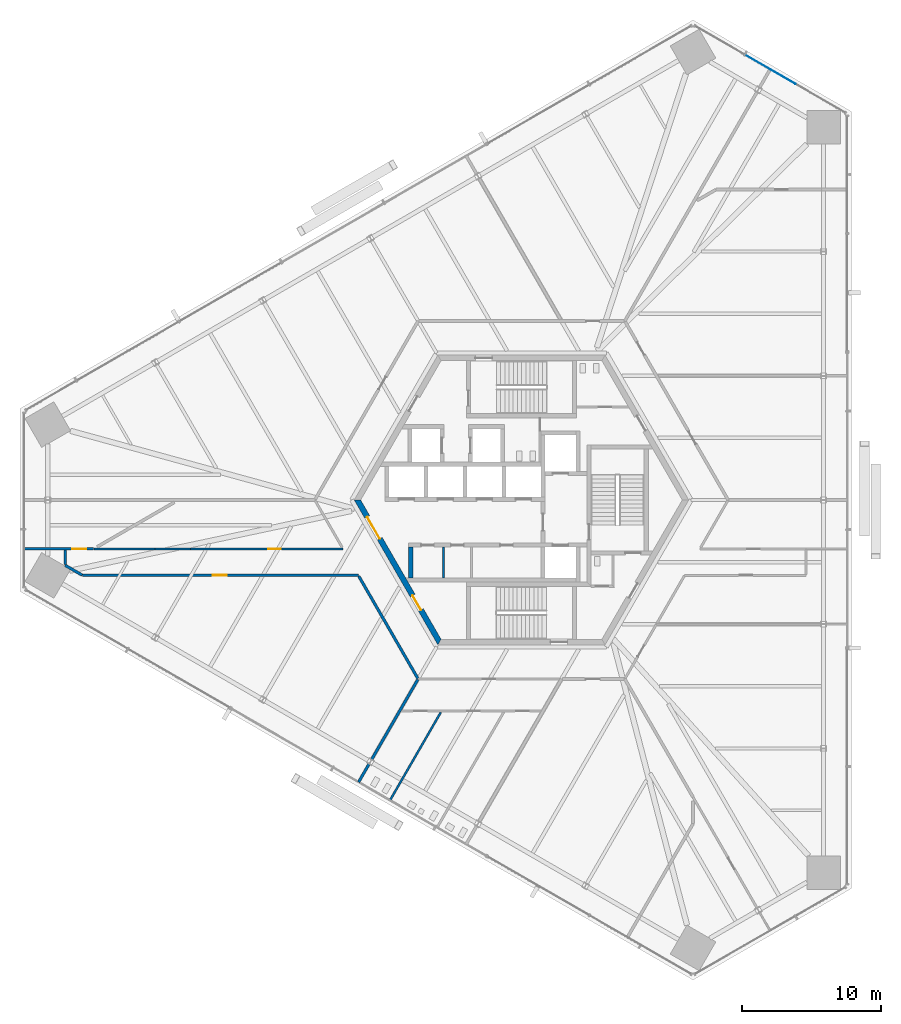
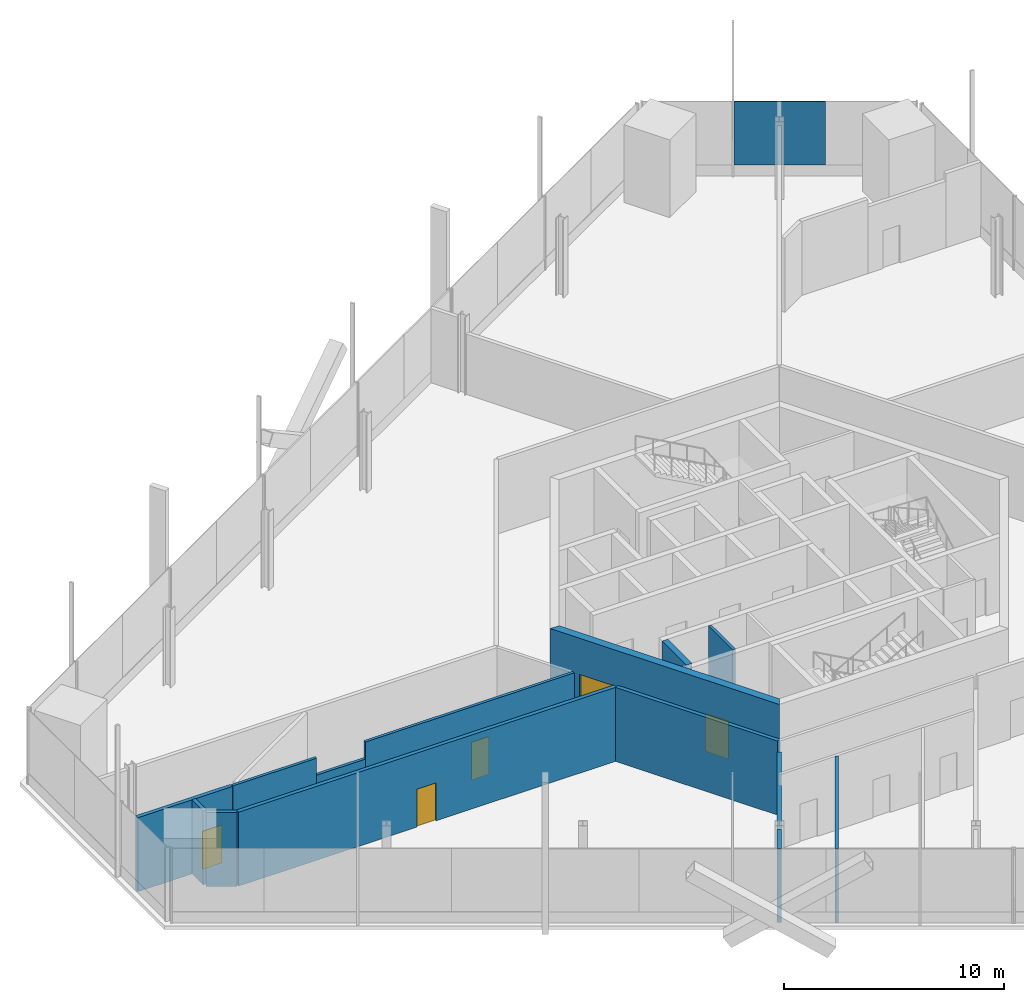
# One storey, part 9 of 18: 14 walls, 5 doors, 1 plate, 5 openings, 1 element without a shape of its own.
"""IFC4 building model written with IfcOpenShell, lengths in metres."""

from ifc_helpers import new_model, si_unit, direction, frame, frame_2d, origin, origin_2d, place, context, subcontext, project, spatial, polyline, rectangle, outline, extrude, source, transform, mapped, material, layer, layer_set, type_object, element, fill, aggregate, save


model = new_model("IFC4")

# Units and contexts
model_context = context("Model", 3, precision=1e-05, world=origin(), true_north=direction((0.0, 1.0)))
body_context = subcontext(model_context, "Body", "Model", "MODEL_VIEW")
ifc_project = project(units=[si_unit("LENGTHUNIT", "METRE"), si_unit("AREAUNIT", "SQUARE_METRE"), si_unit("VOLUMEUNIT", "CUBIC_METRE"), si_unit("PLANEANGLEUNIT", "RADIAN"), si_unit("MASSUNIT", "GRAM", prefix="KILO")], contexts=[model_context])

# Site, building, storey
site_placement = place(None, origin())
site = spatial("IfcSite", under=ifc_project, at=site_placement, CompositionType="ELEMENT")
building_placement = place(site_placement, origin())
building = spatial("IfcBuilding", under=site, at=building_placement, Name="Triune Harvest Tower", CompositionType="ELEMENT")
storey_placement = place(building_placement, frame((0.0, 0.0, 33.199951171875)))
storey = spatial("IfcBuildingStorey", under=building, at=storey_placement, Name="L07", CompositionType="ELEMENT", Elevation=33.199951171875)

# Curtain wall, plate
ifc_material_1 = material(Name="Aluminium bronze anodised", Category="aluminium")
curtain_wall_type = type_object("IfcCurtainWallType", Name="CW-3 Farm floor curtain wall", PredefinedType="NOTDEFINED", material=ifc_material_1)
curtain_wall_placement = place(storey_placement, origin())
curtain_wall = element("IfcCurtainWall", 1, at=curtain_wall_placement, inside=storey, type_object=curtain_wall_type, Name="CW-3 B1-F2 L07 run 1")
ifc_material_2 = material(Name="Glass", Category="glass")
ifc_layer_1 = layer(ifc_material_2, 0.035888671875)
ifc_layer_set_1 = layer_set([ifc_layer_1], Name="Glass")
plate_type = type_object("IfcPlateType", Name="GL-3 panel 36", PredefinedType="CURTAIN_PANEL", material=ifc_layer_set_1)
shared_shape_1 = source(origin(), body_context, "Body", "SweptSolid", [
    extrude(rectangle(XDim=4.157958984375, YDim=0.035888671875, at=origin_2d()), origin(), (0.0, 0.0, 1.0), 3.5),
])
plate_placement = place(storey_placement, frame((17.857666015625, 30.89013671875, 0.60009765625), z_axis=(0.0, 0.0, 1.0), x_axis=(-0.866026145592, 0.499998715149, 0.0)))
plate = element("IfcPlate", 2, at=plate_placement, type_object=plate_type, Name="CW-3 panel B1-F2 1.2", PredefinedType="CURTAIN_PANEL", context=body_context, shape_type="MappedRepresentation", body=[
    mapped(shared_shape_1, transform((0.0, 0.0, 0.0), scale=1.0)),
])
aggregate(curtain_wall, [plate])

# Wall, openings, doors
ifc_material_3 = material(Name="Concrete 70 MPa", Category="concrete")
ifc_layer_2 = layer(ifc_material_3, 0.39990234375)
ifc_layer_set_2 = layer_set([ifc_layer_2], Name="Concrete 70 MPa")
wall_type_1 = type_object("IfcWallType", Name="Core wall 400", PredefinedType="SHEAR", material=ifc_layer_set_2)
shared_shape_2 = source(origin(), body_context, "Body", "SweptSolid", [
    extrude(outline(polyline([(-0.115478515625, -0.199951171875), (11.884521484375, -0.199951171875), (11.653564453125, 0.199951171875), (0.115478515625, 0.199951171875), (-0.115478515625, -0.199951171875)])), origin(), (0.0, 0.0, 1.0), 4.10009765625),
])
wall_1_placement = place(storey_placement, frame((-11.76904296875, 0.0, 0.0), z_axis=(0.0, 0.0, 1.0), x_axis=(0.499996592174, -0.866027371285, 0.0)))
wall_1 = element("IfcWall", 3, at=wall_1_placement, inside=storey, type_object=wall_type_1, Name="Hexagon 3 wall", PredefinedType="SHEAR", context=body_context, shape_type="MappedRepresentation", body=[
    mapped(shared_shape_2, transform((0.0, 0.0, 0.0), scale=1.0)),
])
opening_1_placement = place(wall_1_placement, frame((1.404541015625, 0.0, 0.0)))
opening_1 = element("IfcOpeningElement", 4, at=opening_1_placement, cuts=wall_1, Name="Opening CD-LS", PredefinedType="OPENING", context=body_context, shape_type="SweptSolid", body=[
    extrude(rectangle(XDim=1.800048828125, YDim=2.10009765625, at=frame_2d((0.89990234375, 1.050048828125))), frame((0.0, 0.2099609375, 0.0), z_axis=(0.0, -1.0, 0.0), x_axis=(1.0, 0.0, 0.0)), (0.0, 0.0, 1.0), 0.419921875),
])
opening_2_placement = place(wall_1_placement, frame((7.91455078125, 0.0, 0.0)))
opening_2 = element("IfcOpeningElement", 5, at=opening_2_placement, cuts=wall_1, Name="Opening CD-SWP", PredefinedType="OPENING", context=body_context, shape_type="SweptSolid", body=[
    extrude(rectangle(XDim=1.199951171875, YDim=2.10009765625, at=frame_2d((0.60009765625, 1.050048828125))), frame((0.0, 0.2099609375, 0.0), z_axis=(0.0, -1.0, 0.0), x_axis=(1.0, 0.0, 0.0)), (0.0, 0.0, 1.0), 0.419921875),
])
ifc_material_4 = material(Name="Steel S235", Category="steel")
door_type_1 = type_object("IfcDoorType", Name="Lobby door 1800 FD120", OperationType="DOUBLE_DOOR_DOUBLE_SWING", PredefinedType="DOOR", material=ifc_material_4)
door_1_placement = place(opening_1_placement, frame((1.800048828125, 0.0, 0.0), z_axis=(0.0, 0.0, 1.0), x_axis=(-1.0, 0.0, 0.0)))
door_1 = element("IfcDoor", 6, at=door_1_placement, inside=storey, type_object=door_type_1, Name="Door CD-LS", OperationType="DOUBLE_DOOR_DOUBLE_SWING", OverallHeight=2.10009765625, OverallWidth=1.800048828125, PredefinedType="DOOR", context=body_context, shape_type="SweptSolid", body=[
    extrude(rectangle(XDim=1.800048828125, YDim=2.10009765625, at=frame_2d((0.89990234375, 1.050048828125))), frame((0.0, 0.02490234375, 0.0), z_axis=(0.0, -1.0, 0.0), x_axis=(1.0, 0.0, 0.0)), (0.0, 0.0, 1.0), 0.050048828125),
])
fill(opening_1, door_1)
ifc_material_5 = material(Name="Steel S235", Category="steel")
door_type_2 = type_object("IfcDoorType", Name="Service door 1200 FD120", OperationType="SINGLE_SWING_LEFT", PredefinedType="DOOR", material=ifc_material_5)
door_2_placement = place(opening_2_placement, frame((1.199951171875, 0.0, 0.0), z_axis=(0.0, 0.0, 1.0), x_axis=(-1.0, 0.0, 0.0)))
door_2 = element("IfcDoor", 7, at=door_2_placement, inside=storey, type_object=door_type_2, Name="Door CD-SWP", OperationType="SINGLE_SWING_RIGHT", OverallHeight=2.10009765625, OverallWidth=1.199951171875, PredefinedType="DOOR", context=body_context, shape_type="SweptSolid", body=[
    extrude(rectangle(XDim=1.199951171875, YDim=2.10009765625, at=frame_2d((0.60009765625, 1.050048828125))), frame((0.0, 0.02490234375, 0.0), z_axis=(0.0, -1.0, 0.0), x_axis=(1.0, 0.0, 0.0)), (0.0, 0.0, 1.0), 0.050048828125),
])
fill(opening_2, door_2)

# Walls
ifc_material_6 = material(Name="Concrete 70 MPa", Category="concrete")
ifc_layer_3 = layer(ifc_material_6, 0.300048828125)
ifc_layer_set_3 = layer_set([ifc_layer_3], Name="Concrete 70 MPa")
wall_type_2 = type_object("IfcWallType", Name="Core wall 300", PredefinedType="SHEAR", material=ifc_layer_set_3)
shared_shape_3 = source(origin(), body_context, "Body", "SweptSolid", [
    extrude(rectangle(XDim=2.2001953125, YDim=0.300048828125, at=frame_2d((1.10009765625, 0.0))), origin(), (0.0, 0.0, 1.0), 4.10009765625),
])
wall_2_placement = place(storey_placement, frame((-7.949951171875, -5.590087890625, 0.0), z_axis=(0.0, 0.0, 1.0), x_axis=(0.0, 1.0, 0.0)))
element("IfcWall", 8, at=wall_2_placement, inside=storey, type_object=wall_type_2, Name="South end west wall", PredefinedType="SHEAR", context=body_context, shape_type="MappedRepresentation", body=[
    mapped(shared_shape_3, transform((0.0, 0.0, 0.0), scale=1.0)),
])
ifc_material_7 = material(Name="Concrete masonry unit", Category="masonry")
ifc_layer_4 = layer(ifc_material_7, 0.14990234375)
ifc_layer_set_4 = layer_set([ifc_layer_4], Name="Concrete masonry unit")
wall_type_3 = type_object("IfcWallType", Name="Block partition 150", PredefinedType="PARTITIONING", material=ifc_layer_set_4)
shared_shape_4 = source(origin(), body_context, "Body", "SweptSolid", [
    extrude(rectangle(XDim=2.2001953125, YDim=0.14990234375, at=frame_2d((1.10009765625, 0.0))), origin(), (0.0, 0.0, 1.0), 4.10009765625),
])
wall_3_placement = place(storey_placement, frame((-5.60009765625, -5.590087890625, 0.0), z_axis=(0.0, 0.0, 1.0), x_axis=(0.0, 1.0, 0.0)))
element("IfcWall", 9, at=wall_3_placement, inside=storey, type_object=wall_type_3, Name="Row s part 1 wall", PredefinedType="PARTITIONING", context=body_context, shape_type="MappedRepresentation", body=[
    mapped(shared_shape_4, transform((0.0, 0.0, 0.0), scale=1.0)),
])
ifc_material_8 = material(Name="Gypsum board on steel studs", Category="steel")
ifc_layer_5 = layer(ifc_material_8, 0.199951171875)
ifc_layer_set_5 = layer_set([ifc_layer_5], Name="Gypsum board on steel studs")
wall_type_4 = type_object("IfcWallType", Name="Fire Wall 200 mm", PredefinedType="PARTITIONING", material=ifc_layer_set_5)
shared_shape_5 = source(origin(), body_context, "Body", "SweptSolid", [
    extrude(rectangle(XDim=1.49853515625, YDim=0.199951171875, at=frame_2d((0.749267578125, 0.0))), origin(), (0.0, 0.0, 1.0), 4.10009765625),
])
wall_4_placement = place(storey_placement, frame((-11.685546875, -20.240234375, 0.0), z_axis=(0.0, 0.0, 1.0), x_axis=(0.499976292358, 0.866039090965, 0.0)))
element("IfcWall", 10, at=wall_4_placement, inside=storey, type_object=wall_type_4, Name="Partition L07 038", PredefinedType="PARTITIONING", context=body_context, shape_type="MappedRepresentation", body=[
    mapped(shared_shape_5, transform((0.0, 0.0, 0.0), scale=1.0)),
])
ifc_material_9 = material(Name="Gypsum board on steel studs", Category="steel")
ifc_layer_6 = layer(ifc_material_9, 0.14990234375)
ifc_layer_set_6 = layer_set([ifc_layer_6], Name="Gypsum board on steel studs")
wall_type_5 = type_object("IfcWallType", Name="Fire Partition 150 mm", PredefinedType="PARTITIONING", material=ifc_layer_set_6)
shared_shape_6 = source(origin(), body_context, "Body", "SweptSolid", [
    extrude(rectangle(XDim=2.552734375, YDim=0.14990234375, at=frame_2d((1.2763671875, 0.0))), origin(), (0.0, 0.0, 1.0), 3.15771484375),
])
wall_5_placement = place(storey_placement, frame((-26.294677734375, -3.5048828125, 0.0), z_axis=(0.0, 0.0, 1.0), x_axis=(1.0, 0.0, 0.0)))
element("IfcWall", 11, at=wall_5_placement, inside=storey, type_object=wall_type_5, Name="Partition L07 018a", PredefinedType="PARTITIONING", context=body_context, shape_type="MappedRepresentation", body=[
    mapped(shared_shape_6, transform((0.0, 0.0, 0.0), scale=1.0)),
])
shared_shape_7 = source(origin(), body_context, "Body", "SweptSolid", [
    extrude(rectangle(XDim=8.477783203125, YDim=0.199951171875, at=frame_2d((4.23876953125, 0.0))), origin(), (0.0, 0.0, 1.0), 4.10009765625),
])
wall_6_placement = place(storey_placement, frame((-11.67333984375, -5.465576171875, 0.0), z_axis=(0.0, 0.0, 1.0), x_axis=(0.499985860718, -0.866033566949, 0.0)))
element("IfcWall", 12, at=wall_6_placement, inside=storey, type_object=wall_type_4, Name="Partition L07 002", PredefinedType="PARTITIONING", context=body_context, shape_type="MappedRepresentation", body=[
    mapped(shared_shape_7, transform((0.0, 0.0, 0.0), scale=1.0)),
])
shared_shape_8 = source(origin(), body_context, "Body", "SweptSolid", [
    extrude(rectangle(XDim=1.4033203125, YDim=0.199951171875, at=frame_2d((0.70166015625, 0.0))), origin(), (0.0, 0.0, 1.0), 4.10009765625),
])
wall_7_placement = place(storey_placement, frame((-32.738525390625, -4.688232421875, 0.0), z_axis=(0.0, 0.0, 1.0), x_axis=(0.866029143232, -0.499993523031, 0.0)))
element("IfcWall", 13, at=wall_7_placement, inside=storey, type_object=wall_type_4, Name="Partition L07 009", PredefinedType="PARTITIONING", context=body_context, shape_type="MappedRepresentation", body=[
    mapped(shared_shape_8, transform((0.0, 0.0, 0.0), scale=1.0)),
])

# Wall, opening, door
shared_shape_9 = source(origin(), body_context, "Body", "SweptSolid", [
    extrude(rectangle(XDim=19.788818359375, YDim=0.199951171875, at=frame_2d((9.89453125, 0.0))), origin(), (0.0, 0.0, 1.0), 4.10009765625),
])
wall_8_placement = place(storey_placement, frame((-31.497314453125, -5.405029296875, 0.0), z_axis=(0.0, 0.0, 1.0), x_axis=(1.0, 0.0, 0.0)))
wall_8 = element("IfcWall", 14, at=wall_8_placement, inside=storey, type_object=wall_type_4, Name="Partition L07 015", PredefinedType="PARTITIONING", context=body_context, shape_type="MappedRepresentation", body=[
    mapped(shared_shape_9, transform((0.0, 0.0, 0.0), scale=1.0)),
])
opening_3_placement = place(wall_8_placement, frame((9.347900390625, 0.0, 0.0)))
opening_3 = element("IfcOpeningElement", 15, at=opening_3_placement, cuts=wall_8, Name="Opening L07-011", PredefinedType="OPENING", context=body_context, shape_type="SweptSolid", body=[
    extrude(rectangle(XDim=1.0, YDim=2.10009765625, at=frame_2d((0.5, 1.050048828125))), frame((0.0, 0.10986328125, 0.0), z_axis=(0.0, -1.0, 0.0), x_axis=(1.0, 0.0, 0.0)), (0.0, 0.0, 1.0), 0.219970703125),
])
ifc_material_10 = material(Name="Timber and steel door set", Category="steel")
door_type_3 = type_object("IfcDoorType", Name="Wide single leaf door FD60 right hand 1000 x 2100", OperationType="SINGLE_SWING_RIGHT", PredefinedType="DOOR", material=ifc_material_10)
door_3_placement = place(opening_3_placement, origin())
door_3 = element("IfcDoor", 16, at=door_3_placement, inside=storey, type_object=door_type_3, Name="Door L07-011 Propagation Room 07.11", OperationType="SINGLE_SWING_RIGHT", OverallHeight=2.10009765625, OverallWidth=1.0, PredefinedType="DOOR", context=body_context, shape_type="SweptSolid", body=[
    extrude(rectangle(XDim=1.0, YDim=2.10009765625, at=frame_2d((0.5, 1.050048828125))), frame((0.0, 0.02490234375, 0.0), z_axis=(0.0, -1.0, 0.0), x_axis=(1.0, 0.0, 0.0)), (0.0, 0.0, 1.0), 0.050048828125),
])
fill(opening_3, door_3)

shared_shape_10 = source(origin(), body_context, "Body", "SweptSolid", [
    extrude(rectangle(XDim=4.957275390625, YDim=0.199951171875, at=frame_2d((2.478515625, 0.0))), origin(), (0.0, 0.0, 1.0), 4.10009765625),
])
wall_9_placement = place(storey_placement, frame((-35.680419921875, -3.5048828125, 0.0), z_axis=(0.0, 0.0, 1.0), x_axis=(1.0, 0.0, 0.0)))
wall_9 = element("IfcWall", 17, at=wall_9_placement, inside=storey, type_object=wall_type_4, Name="Partition L07 017", PredefinedType="PARTITIONING", context=body_context, shape_type="MappedRepresentation", body=[
    mapped(shared_shape_10, transform((0.0, 0.0, 0.0), scale=1.0)),
])
opening_4_placement = place(wall_9_placement, frame((3.44140625, 0.0, 0.0)))
opening_4 = element("IfcOpeningElement", 18, at=opening_4_placement, cuts=wall_9, Name="Opening L07-009", PredefinedType="OPENING", context=body_context, shape_type="SweptSolid", body=[
    extrude(rectangle(XDim=1.0, YDim=2.10009765625, at=frame_2d((0.5, 1.050048828125))), frame((0.0, 0.10986328125, 0.0), z_axis=(0.0, -1.0, 0.0), x_axis=(1.0, 0.0, 0.0)), (0.0, 0.0, 1.0), 0.219970703125),
])
door_4_placement = place(opening_4_placement, origin())
door_4 = element("IfcDoor", 19, at=door_4_placement, inside=storey, type_object=door_type_3, Name="Door L07-009 Herb Growing Room 07.09", OperationType="SINGLE_SWING_RIGHT", OverallHeight=2.10009765625, OverallWidth=1.0, PredefinedType="DOOR", context=body_context, shape_type="SweptSolid", body=[
    extrude(rectangle(XDim=1.0, YDim=2.10009765625, at=frame_2d((0.5, 1.050048828125))), frame((0.0, 0.02490234375, 0.0), z_axis=(0.0, -1.0, 0.0), x_axis=(1.0, 0.0, 0.0)), (0.0, 0.0, 1.0), 0.050048828125),
])
fill(opening_4, door_4)

# Wall
shared_shape_11 = source(origin(), body_context, "Body", "SweptSolid", [
    extrude(rectangle(XDim=4.388427734375, YDim=0.14990234375, at=frame_2d((2.1943359375, 0.0))), origin(), (0.0, 0.0, 1.0), 4.10009765625),
])
wall_10_placement = place(storey_placement, frame((-30.68310546875, -3.5048828125, 0.0), z_axis=(0.0, 0.0, 1.0), x_axis=(1.0, 0.0, 0.0)))
element("IfcWall", 20, at=wall_10_placement, inside=storey, type_object=wall_type_5, Name="Partition L07 018", PredefinedType="PARTITIONING", context=body_context, shape_type="MappedRepresentation", body=[
    mapped(shared_shape_11, transform((0.0, 0.0, 0.0), scale=1.0)),
])

# Wall, opening, door
shared_shape_12 = source(origin(), body_context, "Body", "SweptSolid", [
    extrude(rectangle(XDim=10.9365234375, YDim=0.14990234375, at=frame_2d((5.46826171875, 0.0))), origin(), (0.0, 0.0, 1.0), 4.10009765625),
])
wall_11_placement = place(storey_placement, frame((-23.741943359375, -3.5048828125, 0.0), z_axis=(0.0, 0.0, 1.0), x_axis=(1.0, 0.0, 0.0)))
wall_11 = element("IfcWall", 21, at=wall_11_placement, inside=storey, type_object=wall_type_5, Name="Partition L07 018b", PredefinedType="PARTITIONING", context=body_context, shape_type="MappedRepresentation", body=[
    mapped(shared_shape_12, transform((0.0, 0.0, 0.0), scale=1.0)),
])
opening_5_placement = place(wall_11_placement, frame((5.58642578125, 0.0, 0.0)))
opening_5 = element("IfcOpeningElement", 22, at=opening_5_placement, cuts=wall_11, Name="Opening L07-010", PredefinedType="OPENING", context=body_context, shape_type="SweptSolid", body=[
    extrude(rectangle(XDim=0.89990234375, YDim=2.10009765625, at=frame_2d((0.449951171875, 1.050048828125))), frame((0.0, 0.0849609375, 0.0), z_axis=(0.0, -1.0, 0.0), x_axis=(1.0, 0.0, 0.0)), (0.0, 0.0, 1.0), 0.169921875),
])
ifc_material_11 = material(Name="Timber and steel door set", Category="steel")
door_type_4 = type_object("IfcDoorType", Name="Single leaf door FD30 right hand 900 x 2100", OperationType="SINGLE_SWING_RIGHT", PredefinedType="DOOR", material=ifc_material_11)
door_5_placement = place(opening_5_placement, origin())
door_5 = element("IfcDoor", 23, at=door_5_placement, inside=storey, type_object=door_type_4, Name="Door L07-010 Dry Store Room 07.10", OperationType="SINGLE_SWING_RIGHT", OverallHeight=2.10009765625, OverallWidth=0.89990234375, PredefinedType="DOOR", context=body_context, shape_type="SweptSolid", body=[
    extrude(rectangle(XDim=0.89990234375, YDim=2.10009765625, at=frame_2d((0.449951171875, 1.050048828125))), frame((0.0, 0.02490234375, 0.0), z_axis=(0.0, -1.0, 0.0), x_axis=(1.0, 0.0, 0.0)), (0.0, 0.0, 1.0), 0.050048828125),
])
fill(opening_5, door_5)

# Walls
shared_shape_13 = source(origin(), body_context, "Body", "SweptSolid", [
    extrude(rectangle(XDim=7.280029296875, YDim=0.14990234375, at=frame_2d((3.64013671875, 0.0))), origin(), (0.0, 0.0, 1.0), 4.10009765625),
])
wall_12_placement = place(storey_placement, frame((-9.430419921875, -21.542236328125, 0.0), z_axis=(0.0, 0.0, 1.0), x_axis=(0.499987591186, 0.866032567898, 0.0)))
element("IfcWall", 24, at=wall_12_placement, inside=storey, type_object=wall_type_5, Name="Partition L07 037", PredefinedType="PARTITIONING", context=body_context, shape_type="MappedRepresentation", body=[
    mapped(shared_shape_13, transform((0.0, 0.0, 0.0), scale=1.0)),
])
shared_shape_14 = source(origin(), body_context, "Body", "SweptSolid", [
    extrude(rectangle(XDim=6.6171875, YDim=0.199951171875, at=frame_2d((3.30859375, 0.0))), origin(), (0.0, 0.0, 1.0), 3.48779296875),
])
wall_13_placement = place(storey_placement, frame((-10.7431640625, -18.607666015625, 0.0), z_axis=(0.0, 0.0, 1.0), x_axis=(0.499996046679, 0.866027686223, 0.0)))
element("IfcWall", 25, at=wall_13_placement, inside=storey, type_object=wall_type_4, Name="Partition L07 039", PredefinedType="PARTITIONING", context=body_context, shape_type="MappedRepresentation", body=[
    mapped(shared_shape_14, transform((0.0, 0.0, 0.0), scale=1.0)),
])
shared_shape_15 = source(origin(), body_context, "Body", "SweptSolid", [
    extrude(rectangle(XDim=1.033447265625, YDim=0.199951171875, at=frame_2d((0.5166015625, 0.0))), origin(), (0.0, 0.0, 1.0), 4.10009765625),
])
wall_14_placement = place(storey_placement, frame((-32.738525390625, -4.618408203125, 0.0), z_axis=(0.0, 0.0, 1.0), x_axis=(0.0, 1.0, 0.0)))
element("IfcWall", 26, at=wall_14_placement, inside=storey, type_object=wall_type_4, Name="Partition L07 045", PredefinedType="PARTITIONING", context=body_context, shape_type="MappedRepresentation", body=[
    mapped(shared_shape_15, transform((0.0, 0.0, 0.0), scale=1.0)),
])

save(model, "model.ifc")
